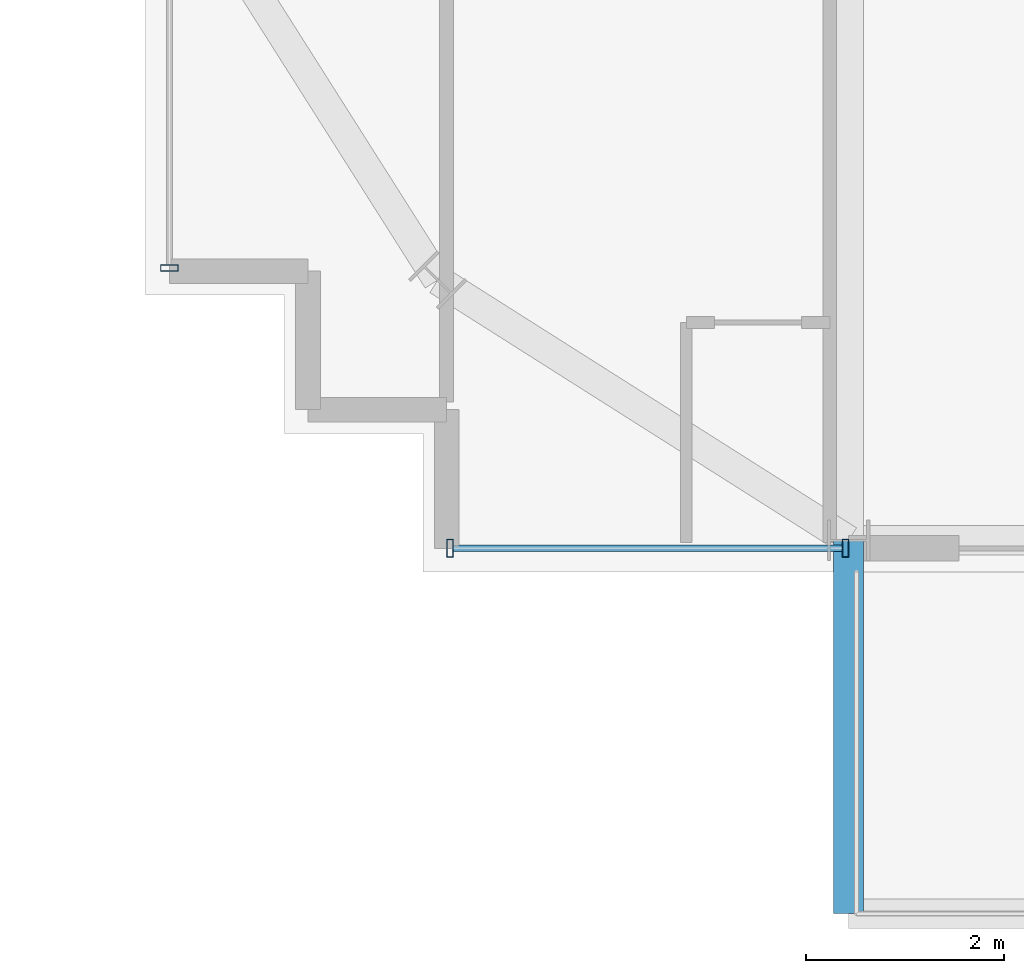
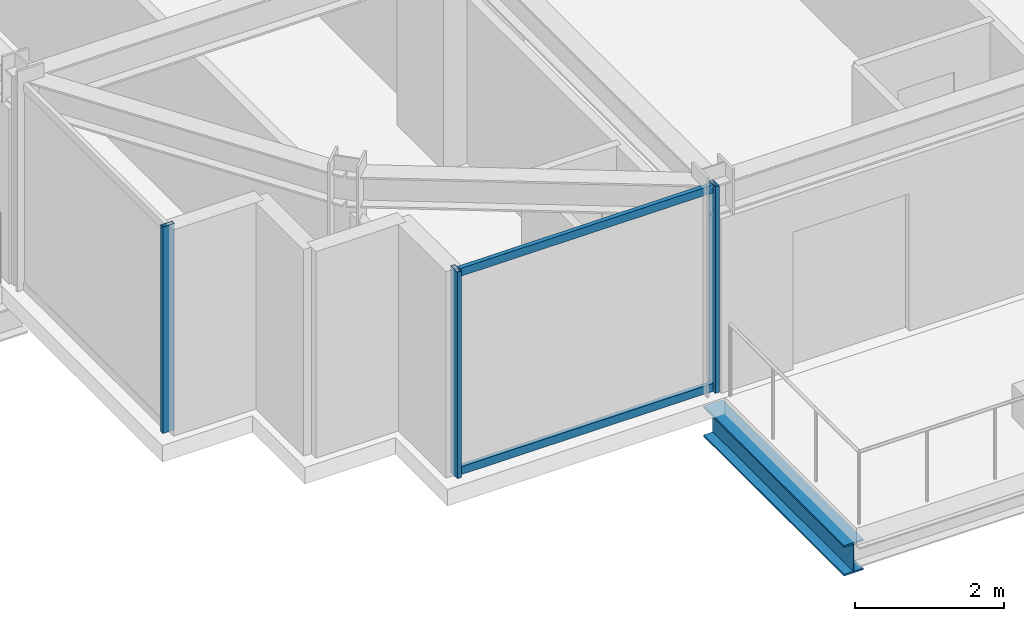
# One storey, part 2 of 32: 5 members, 1 beam, 2 elements without a shape of their own.
"""IFC4 building model written with IfcOpenShell, lengths in metres."""

from ifc_helpers import new_model, si_unit, direction, frame, origin, origin_2d, place, context, subcontext, project, spatial, hollow_rectangle, i_section, extrude, source, transform, mapped, material, material_profile, profile_set, type_object, element, aggregate, save


model = new_model("IFC4")

# Units and contexts
model_context = context("Model", 3, precision=1e-05, world=origin(), true_north=direction((0.0, 1.0)))
body_context = subcontext(model_context, "Body", "Model", "MODEL_VIEW")
ifc_project = project(units=[si_unit("LENGTHUNIT", "METRE"), si_unit("AREAUNIT", "SQUARE_METRE"), si_unit("VOLUMEUNIT", "CUBIC_METRE"), si_unit("PLANEANGLEUNIT", "RADIAN"), si_unit("MASSUNIT", "GRAM", prefix="KILO")], contexts=[model_context])

# Site, building, storey
site_placement = place(None, origin())
site = spatial("IfcSite", under=ifc_project, at=site_placement, CompositionType="ELEMENT")
building_placement = place(site_placement, origin())
building = spatial("IfcBuilding", under=site, at=building_placement, Name="Nahalor Promenade Grand Hotel", CompositionType="ELEMENT")
storey_placement = place(building_placement, frame((0.0, 0.0, 124.800048828125)))
storey = spatial("IfcBuildingStorey", under=building, at=storey_placement, Name="L31", CompositionType="ELEMENT", Elevation=124.800048828125)

# Beam
ifc_material_1 = material(Name="Steel S355JR", Category="steel")
ifc_material_profile_1 = material_profile(ifc_material_1, i_section(OverallWidth=0.3, OverallDepth=0.5, WebThickness=0.0145, FlangeThickness=0.028, at=origin_2d()), Name="HEB 500")
ifc_profile_set_1 = profile_set([ifc_material_profile_1], Name="Steel S355JR")
beam_type = type_object("IfcBeamType", Name="Beam-Outrigger-HEB500", PredefinedType="BEAM", material=ifc_profile_set_1)
shared_shape_1 = source(origin(), body_context, "Body", "SweptSolid", [
    extrude(i_section(OverallWidth=0.3, OverallDepth=0.5, WebThickness=0.0145, FlangeThickness=0.028, at=origin_2d()), origin(), (0.0, 0.0, 1.0), 3.77001953125),
])
beam_placement = place(storey_placement, frame((-17.0, -27.550048828125, -0.530029296875), z_axis=(0.0, 1.0, 0.0), x_axis=(-1.0, 0.0, 0.0)))
element("IfcBeam", 1, at=beam_placement, inside=storey, type_object=beam_type, Name="BM-L31-BC-01-1", PredefinedType="BEAM", context=body_context, shape_type="MappedRepresentation", body=[
    mapped(shared_shape_1, transform((0.0, 0.0, 0.0), scale=1.0)),
])

# Curtain wall, members
ifc_material_2 = material(Name="Anodised Bronze Aluminium EN AW-6063 T6", Category="aluminium")
curtain_wall_type = type_object("IfcCurtainWallType", Name="CW2 Typical Hotel Flush Bronze Unitised Curtain Wall", PredefinedType="USERDEFINED", material=ifc_material_2)
curtain_wall_1_placement = place(storey_placement, origin())
curtain_wall_1 = element("IfcCurtainWall", 2, at=curtain_wall_1_placement, inside=storey, type_object=curtain_wall_type, Name="L31 Curtain Wall CW-L31-S-1", ObjectType="UNITISED_CURTAIN_WALL", PredefinedType="USERDEFINED")
ifc_material_profile_2 = material_profile(ifc_material_2, hollow_rectangle(XDim=0.065, YDim=0.18, WallThickness=0.004, at=origin_2d()), Name="CWM 65x180x4")
ifc_profile_set_2 = profile_set([ifc_material_profile_2], Name="Anodised Bronze Aluminium EN AW-6063 T6")
member_type_1 = type_object("IfcMemberType", Name="CWM2 Typical Bronze Mullion 65x180", PredefinedType="MULLION", material=ifc_profile_set_2)
shared_shape_2 = source(origin(), body_context, "Body", "SweptSolid", [
    extrude(hollow_rectangle(XDim=0.065, YDim=0.18, WallThickness=0.004, at=origin_2d()), origin(), (0.0, 0.0, 1.0), 3.3798828125),
])
member_1_placement = place(storey_placement, frame((-21.027587890625, -23.860107421875, 0.0), z_axis=(0.0, 0.0, 1.0), x_axis=(1.0, 0.0, 0.0)))
member_1 = element("IfcMember", 3, at=member_1_placement, type_object=member_type_1, Name="CW-L31-S-1 Mullion 0", PredefinedType="MULLION", context=body_context, shape_type="MappedRepresentation", body=[
    mapped(shared_shape_2, transform((0.0, 0.0, 0.0), scale=1.0)),
])
member_2_placement = place(storey_placement, frame((-17.032470703125, -23.860107421875, 0.0), z_axis=(0.0, 0.0, 1.0), x_axis=(1.0, 0.0, 0.0)))
member_2 = element("IfcMember", 4, at=member_2_placement, type_object=member_type_1, Name="CW-L31-S-1 Mullion 1", PredefinedType="MULLION", context=body_context, shape_type="MappedRepresentation", body=[
    mapped(shared_shape_2, transform((0.0, 0.0, 0.0), scale=1.0)),
])

# Curtain wall, member
curtain_wall_2_placement = place(storey_placement, origin())
curtain_wall_2 = element("IfcCurtainWall", 5, at=curtain_wall_2_placement, inside=storey, type_object=curtain_wall_type, Name="L31 Curtain Wall CW-L31-W-1", ObjectType="UNITISED_CURTAIN_WALL", PredefinedType="USERDEFINED")
member_3_placement = place(storey_placement, frame((-23.860107421875, -21.027587890625, 0.0), z_axis=(0.0, 0.0, 1.0), x_axis=(0.0, 1.0, 0.0)))
member_3 = element("IfcMember", 6, at=member_3_placement, type_object=member_type_1, Name="CW-L31-W-1 Mullion 0", PredefinedType="MULLION", context=body_context, shape_type="MappedRepresentation", body=[
    mapped(shared_shape_2, transform((0.0, 0.0, 0.0), scale=1.0)),
])
aggregate(curtain_wall_2, [member_3])

# Member
ifc_material_profile_3 = material_profile(ifc_material_2, hollow_rectangle(XDim=0.065, YDim=0.13, WallThickness=0.004, at=origin_2d()), Name="CWT 65x130x4")
ifc_profile_set_3 = profile_set([ifc_material_profile_3], Name="Anodised Bronze Aluminium EN AW-6063 T6")
member_type_2 = type_object("IfcMemberType", Name="CWT2 Typical Bronze Transom 65x130", PredefinedType="USERDEFINED", material=ifc_profile_set_3)
shared_shape_3 = source(origin(), body_context, "Body", "SweptSolid", [
    extrude(hollow_rectangle(XDim=0.065, YDim=0.13, WallThickness=0.004, at=origin_2d()), origin(), (0.0, 0.0, 1.0), 3.93017578125),
])
member_4_placement = place(storey_placement, frame((-20.9951171875, -23.860107421875, 0.06494140625), z_axis=(1.0, 0.0, 0.0), x_axis=(0.0, 1.0, 0.0)))
member_4 = element("IfcMember", 7, at=member_4_placement, type_object=member_type_2, Name="CW-L31-S-1 Transom 0-0", ObjectType="TRANSOM", PredefinedType="USERDEFINED", context=body_context, shape_type="MappedRepresentation", body=[
    mapped(shared_shape_3, transform((0.0, 0.0, 0.0), scale=1.0)),
])

member_5_placement = place(storey_placement, frame((-20.9951171875, -23.860107421875, 3.31494140625), z_axis=(1.0, 0.0, 0.0), x_axis=(0.0, 1.0, 0.0)))
member_5 = element("IfcMember", 8, at=member_5_placement, type_object=member_type_2, Name="CW-L31-S-1 Transom 0-1", ObjectType="TRANSOM", PredefinedType="USERDEFINED", context=body_context, shape_type="MappedRepresentation", body=[
    mapped(shared_shape_3, transform((0.0, 0.0, 0.0), scale=1.0)),
])

aggregate(curtain_wall_1, [member_1, member_2, member_4, member_5])

save(model, "model.ifc")
